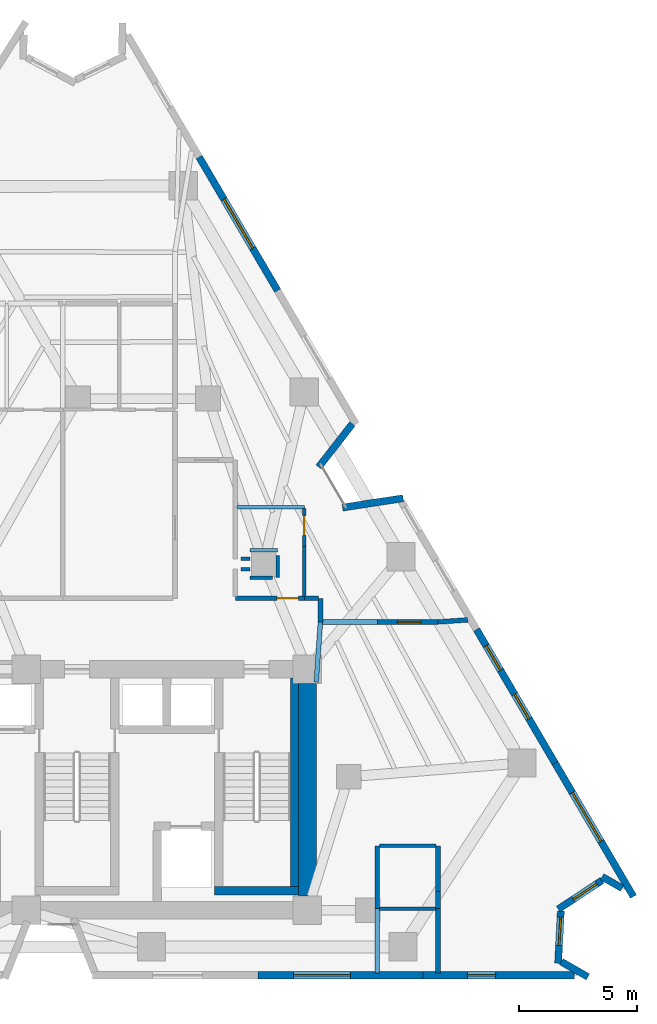
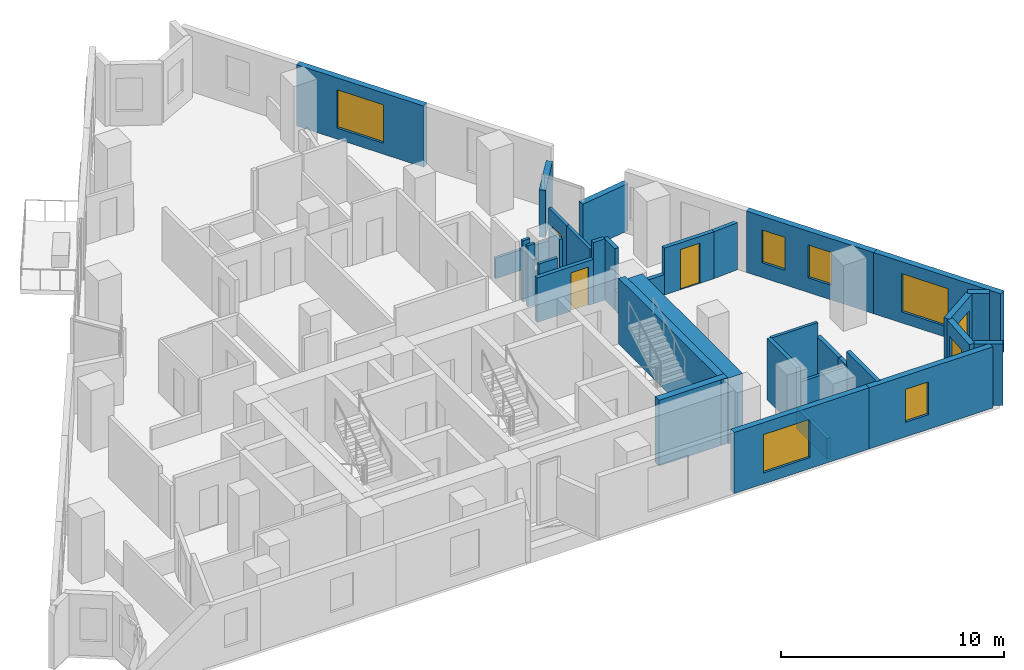
# One storey, part 8 of 11: 36 walls, 8 windows, 3 doors, 11 openings.
"""IFC4 building model written with IfcOpenShell, lengths in metres."""

from ifc_helpers import new_model, si_unit, direction, frame, frame_2d, origin, place, context, subcontext, project, spatial, rectangle, extrude, material, layer, layer_set, type_object, element, fill, save


model = new_model("IFC4")

# Units and contexts
model_context = context("Model", 3, precision=1e-05, world=origin(), true_north=direction((0.0, 1.0)))
body_context = subcontext(model_context, "Body", "Model", "MODEL_VIEW")
ifc_project = project(units=[si_unit("LENGTHUNIT", "METRE"), si_unit("AREAUNIT", "SQUARE_METRE"), si_unit("VOLUMEUNIT", "CUBIC_METRE"), si_unit("PLANEANGLEUNIT", "RADIAN"), si_unit("MASSUNIT", "GRAM", prefix="KILO")], contexts=[model_context])

# Site, building, storey
site_placement = place(None, origin())
site = spatial("IfcSite", under=ifc_project, at=site_placement, CompositionType="ELEMENT")
building_placement = place(site_placement, origin())
building = spatial("IfcBuilding", under=site, at=building_placement, Name="Almagre Mirador Tower", CompositionType="ELEMENT")
storey_placement = place(building_placement, frame((0.0, 0.0, 128.39990234375)))
storey = spatial("IfcBuildingStorey", under=building, at=storey_placement, Name="L32", CompositionType="ELEMENT", Elevation=128.39990234375)

# Wall, opening, window
ifc_material_1 = material(Name="Precast concrete C50/60", Category="concrete")
ifc_layer_1 = layer(ifc_material_1, 0.300048828125)
ifc_layer_set_1 = layer_set([ifc_layer_1], Name="Precast concrete C50/60")
wall_type_1 = type_object("IfcWallType", Name="WAL-EXT-300", PredefinedType="SOLIDWALL", material=ifc_layer_set_1)
wall_1_placement = place(storey_placement, frame((42.472412109375, 36.420166015625, 0.0), z_axis=(0.0, 0.0, 1.0), x_axis=(0.506315009763, -0.86234860172, 0.0)))
wall_1 = element("IfcWall", 1, at=wall_1_placement, inside=storey, type_object=wall_type_1, Name="L32 expressed almagre precast frame wall 10", PredefinedType="SOLIDWALL", context=body_context, shape_type="SweptSolid", body=[
    extrude(rectangle(XDim=6.553466796875, YDim=0.300048828125, at=frame_2d((3.27685546875, 0.0))), origin(), (0.0, 0.0, 1.0), 3.35009765625),
])
opening_1_placement = place(wall_1_placement, frame((2.074951171875, 0.0, 0.60009765625)))
opening_1 = element("IfcOpeningElement", 2, at=opening_1_placement, cuts=wall_1, Name="Opening WN-02", PredefinedType="OPENING", context=body_context, shape_type="SweptSolid", body=[
    extrude(rectangle(XDim=2.39990234375, YDim=2.10009765625, at=frame_2d((1.199951171875, 1.050048828125))), frame((0.0, 0.159902, 0.0), z_axis=(0.0, -1.0, 0.0), x_axis=(1.0, 0.0, 0.0)), (0.0, 0.0, 1.0), 0.320049),
])
ifc_material_2 = material(Name="Dark solar-control laminated hurricane glass", Category="glass")
window_type_1 = type_object("IfcWindowType", Name="WIN-2400X2100", PartitioningType="TRIPLE_PANEL_VERTICAL", PredefinedType="WINDOW", material=ifc_material_2)
window_1_placement = place(opening_1_placement, origin())
window_1 = element("IfcWindow", 3, at=window_1_placement, inside=storey, type_object=window_type_1, Name="L32 recessed hurricane window L32-UJ-ST", OverallHeight=2.10009765625, OverallWidth=2.39990234375, PartitioningType="SINGLE_PANEL", PredefinedType="WINDOW", context=body_context, shape_type="SweptSolid", body=[
    extrude(rectangle(XDim=2.39990234375, YDim=2.10009765625, at=frame_2d((1.199951171875, 1.050048828125))), frame((0.0, 0.030029296875, 0.0), z_axis=(0.0, -1.0, 0.0), x_axis=(1.0, 0.0, 0.0)), (0.0, 0.0, 1.0), 0.06005859375),
])
fill(opening_1, window_1)

# Walls
wall_2_placement = place(storey_placement, frame((48.955078125, 25.131591796875, 0.0), z_axis=(0.0, 0.0, 1.0), x_axis=(-0.614326980446, -0.789051557946, 0.0)))
element("IfcWall", 4, at=wall_2_placement, inside=storey, type_object=wall_type_1, Name="L32 expressed almagre precast frame wall 12", PredefinedType="SOLIDWALL", context=body_context, shape_type="SweptSolid", body=[
    extrude(rectangle(XDim=2.318115234375, YDim=0.300048828125, at=frame_2d((1.1591796875, 0.0))), origin(), (0.0, 0.0, 1.0), 2.5751953125),
])
wall_3_placement = place(storey_placement, frame((48.53662109375, 21.588623046875, 0.0), z_axis=(0.0, 0.0, 1.0), x_axis=(0.988351014823, 0.152191561848, 0.0)))
element("IfcWall", 5, at=wall_3_placement, inside=storey, type_object=wall_type_1, Name="L32 expressed almagre precast frame wall 13", PredefinedType="SOLIDWALL", context=body_context, shape_type="SweptSolid", body=[
    extrude(rectangle(XDim=2.593994140625, YDim=0.300048828125, at=frame_2d((1.296875, 0.0))), origin(), (0.0, 0.0, 1.0), 2.5751953125),
])

# Wall, openings, windows
wall_4_placement = place(storey_placement, frame((54.20947265625, 16.43115234375, 0.0), z_axis=(0.0, 0.0, 1.0), x_axis=(0.506315009763, -0.86234860172, 0.0)))
wall_4 = element("IfcWall", 6, at=wall_4_placement, inside=storey, type_object=wall_type_1, Name="L32 expressed almagre precast frame wall 15", PredefinedType="SOLIDWALL", context=body_context, shape_type="SweptSolid", body=[
    extrude(rectangle(XDim=6.553466796875, YDim=0.300048828125, at=frame_2d((3.27685546875, 0.0))), origin(), (0.0, 0.0, 1.0), 3.35009765625),
])
opening_2_placement = place(wall_4_placement, frame((3.175048828125, 0.0, 0.800048828125)))
opening_2 = element("IfcOpeningElement", 7, at=opening_2_placement, cuts=wall_4, Name="Opening WN-04", PredefinedType="OPENING", context=body_context, shape_type="SweptSolid", body=[
    extrude(rectangle(XDim=1.199951171875, YDim=1.800048828125, at=frame_2d((0.60009765625, 0.89990234375))), frame((0.0, 0.159902, 0.0), z_axis=(0.0, -1.0, 0.0), x_axis=(1.0, 0.0, 0.0)), (0.0, 0.0, 1.0), 0.320049),
])
opening_3_placement = place(wall_4_placement, frame((0.800048828125, 0.0, 0.800048828125)))
opening_3 = element("IfcOpeningElement", 8, at=opening_3_placement, cuts=wall_4, Name="Opening WN-04", PredefinedType="OPENING", context=body_context, shape_type="SweptSolid", body=[
    extrude(rectangle(XDim=1.199951171875, YDim=1.800048828125, at=frame_2d((0.60009765625, 0.89990234375))), frame((0.0, 0.159902, 0.0), z_axis=(0.0, -1.0, 0.0), x_axis=(1.0, 0.0, 0.0)), (0.0, 0.0, 1.0), 0.320049),
])
ifc_material_3 = material(Name="Dark solar-control laminated hurricane glass", Category="glass")
window_type_2 = type_object("IfcWindowType", Name="WIN-1200X1800", PartitioningType="SINGLE_PANEL", PredefinedType="WINDOW", material=ifc_material_3)
window_2_placement = place(opening_2_placement, origin())
window_2 = element("IfcWindow", 9, at=window_2_placement, inside=storey, type_object=window_type_2, Name="L32 recessed hurricane window L32-UC-LV", OverallHeight=1.800048828125, OverallWidth=1.199951171875, PartitioningType="SINGLE_PANEL", PredefinedType="WINDOW", context=body_context, shape_type="SweptSolid", body=[
    extrude(rectangle(XDim=1.199951171875, YDim=1.800048828125, at=frame_2d((0.60009765625, 0.89990234375))), frame((0.0, 0.030029296875, 0.0), z_axis=(0.0, -1.0, 0.0), x_axis=(1.0, 0.0, 0.0)), (0.0, 0.0, 1.0), 0.06005859375),
])
fill(opening_2, window_2)
window_3_placement = place(opening_3_placement, origin())
window_3 = element("IfcWindow", 10, at=window_3_placement, inside=storey, type_object=window_type_2, Name="L32 recessed hurricane window L32-UC-HB", OverallHeight=1.800048828125, OverallWidth=1.199951171875, PartitioningType="SINGLE_PANEL", PredefinedType="WINDOW", context=body_context, shape_type="SweptSolid", body=[
    extrude(rectangle(XDim=1.199951171875, YDim=1.800048828125, at=frame_2d((0.60009765625, 0.89990234375))), frame((0.0, 0.030029296875, 0.0), z_axis=(0.0, -1.0, 0.0), x_axis=(1.0, 0.0, 0.0)), (0.0, 0.0, 1.0), 0.06005859375),
])
fill(opening_3, window_3)

# Wall, opening, window
wall_5_placement = place(storey_placement, frame((57.527587890625, 10.77978515625, 0.0), z_axis=(0.0, 0.0, 1.0), x_axis=(0.506342712509, -0.862332335871, 0.0)))
wall_5 = element("IfcWall", 11, at=wall_5_placement, inside=storey, type_object=wall_type_1, Name="L32 expressed almagre precast frame wall 16", PredefinedType="SOLIDWALL", context=body_context, shape_type="SweptSolid", body=[
    extrude(rectangle(XDim=6.553466796875, YDim=0.300048828125, at=frame_2d((3.27685546875, 0.0))), origin(), (0.0, 0.0, 1.0), 3.35009765625),
])
opening_4_placement = place(wall_5_placement, frame((1.449951171875, 0.0, 0.60009765625)))
opening_4 = element("IfcOpeningElement", 12, at=opening_4_placement, cuts=wall_5, Name="Opening WN-02", PredefinedType="OPENING", context=body_context, shape_type="SweptSolid", body=[
    extrude(rectangle(XDim=2.39990234375, YDim=2.10009765625, at=frame_2d((1.199951171875, 1.050048828125))), frame((0.0, 0.159902, 0.0), z_axis=(0.0, -1.0, 0.0), x_axis=(1.0, 0.0, 0.0)), (0.0, 0.0, 1.0), 0.320049),
])
window_4_placement = place(opening_4_placement, origin())
window_4 = element("IfcWindow", 13, at=window_4_placement, inside=storey, type_object=window_type_1, Name="L32 recessed hurricane window L32-UC-MB", OverallHeight=2.10009765625, OverallWidth=2.39990234375, PartitioningType="SINGLE_PANEL", PredefinedType="WINDOW", context=body_context, shape_type="SweptSolid", body=[
    extrude(rectangle(XDim=2.39990234375, YDim=2.10009765625, at=frame_2d((1.199951171875, 1.050048828125))), frame((0.0, 0.030029296875, 0.0), z_axis=(0.0, -1.0, 0.0), x_axis=(1.0, 0.0, 0.0)), (0.0, 0.0, 1.0), 0.06005859375),
])
fill(opening_4, window_4)

# Wall
wall_6_placement = place(storey_placement, frame((60.37158203125, 5.47998046875, 0.0), z_axis=(0.0, 0.0, 1.0), x_axis=(-0.867706517509, 0.497076854694, 0.0)))
element("IfcWall", 14, at=wall_6_placement, inside=storey, type_object=wall_type_1, Name="L32 expressed almagre precast frame wall 17", PredefinedType="SOLIDWALL", context=body_context, shape_type="SweptSolid", body=[
    extrude(rectangle(XDim=0.980712890625, YDim=0.300048828125, at=frame_2d((0.490234375, 0.0))), origin(), (0.0, 0.0, 1.0), 3.35009765625),
])

# Wall, opening, window
wall_7_placement = place(storey_placement, frame((59.52099609375, 5.818115234375, 0.0), z_axis=(0.0, 0.0, 1.0), x_axis=(-0.834712479674, -0.550686005158, 0.0)))
wall_7 = element("IfcWall", 15, at=wall_7_placement, inside=storey, type_object=wall_type_1, Name="L32 expressed almagre precast frame wall 18", PredefinedType="SOLIDWALL", context=body_context, shape_type="SweptSolid", body=[
    extrude(rectangle(XDim=2.22119140625, YDim=0.300048828125, at=frame_2d((1.110595703125, 0.0))), origin(), (0.0, 0.0, 1.0), 3.35009765625),
])
opening_5_placement = place(wall_7_placement, frame((0.264892578125, 0.0, 0.800048828125)))
opening_5 = element("IfcOpeningElement", 16, at=opening_5_placement, cuts=wall_7, Name="Opening WN-04", PredefinedType="OPENING", context=body_context, shape_type="SweptSolid", body=[
    extrude(rectangle(XDim=1.199951171875, YDim=1.800048828125, at=frame_2d((0.60009765625, 0.89990234375))), frame((0.0, 0.159902, 0.0), z_axis=(0.0, -1.0, 0.0), x_axis=(1.0, 0.0, 0.0)), (0.0, 0.0, 1.0), 0.320049),
])
window_5_placement = place(opening_5_placement, origin())
window_5 = element("IfcWindow", 17, at=window_5_placement, inside=storey, type_object=window_type_2, Name="L32 recessed hurricane window L32-UC-MB", OverallHeight=1.800048828125, OverallWidth=1.199951171875, PartitioningType="SINGLE_PANEL", PredefinedType="WINDOW", context=body_context, shape_type="SweptSolid", body=[
    extrude(rectangle(XDim=1.199951171875, YDim=1.800048828125, at=frame_2d((0.60009765625, 0.89990234375))), frame((0.0, 0.030029296875, 0.0), z_axis=(0.0, -1.0, 0.0), x_axis=(1.0, 0.0, 0.0)), (0.0, 0.0, 1.0), 0.06005859375),
])
fill(opening_5, window_5)

wall_8_placement = place(storey_placement, frame((57.77587890625, 4.51708984375, 0.0), z_axis=(0.0, 0.0, 1.0), x_axis=(-0.052535661709, -0.998619048611, 0.0)))
wall_8 = element("IfcWall", 18, at=wall_8_placement, inside=storey, type_object=wall_type_1, Name="L32 expressed almagre precast frame wall 19", PredefinedType="SOLIDWALL", context=body_context, shape_type="SweptSolid", body=[
    extrude(rectangle(XDim=2.212158203125, YDim=0.300048828125, at=frame_2d((1.10595703125, 0.0))), origin(), (0.0, 0.0, 1.0), 3.35009765625),
])
opening_6_placement = place(wall_8_placement, frame((0.2548828125, 0.0, 0.800048828125)))
opening_6 = element("IfcOpeningElement", 19, at=opening_6_placement, cuts=wall_8, Name="Opening WN-04", PredefinedType="OPENING", context=body_context, shape_type="SweptSolid", body=[
    extrude(rectangle(XDim=1.199951171875, YDim=1.800048828125, at=frame_2d((0.60009765625, 0.89990234375))), frame((0.0, 0.159902, 0.0), z_axis=(0.0, -1.0, 0.0), x_axis=(1.0, 0.0, 0.0)), (0.0, 0.0, 1.0), 0.320049),
])
window_6_placement = place(opening_6_placement, origin())
window_6 = element("IfcWindow", 20, at=window_6_placement, inside=storey, type_object=window_type_2, Name="L32 recessed hurricane window L32-UC-MB", OverallHeight=1.800048828125, OverallWidth=1.199951171875, PartitioningType="SINGLE_PANEL", PredefinedType="WINDOW", context=body_context, shape_type="SweptSolid", body=[
    extrude(rectangle(XDim=1.199951171875, YDim=1.800048828125, at=frame_2d((0.60009765625, 0.89990234375))), frame((0.0, 0.030029296875, 0.0), z_axis=(0.0, -1.0, 0.0), x_axis=(1.0, 0.0, 0.0)), (0.0, 0.0, 1.0), 0.06005859375),
])
fill(opening_6, window_6)

# Wall
wall_9_placement = place(storey_placement, frame((57.797119140625, 2.37353515625, 0.0), z_axis=(0.0, 0.0, 1.0), x_axis=(0.868034267217, -0.496504290955, 0.0)))
element("IfcWall", 21, at=wall_9_placement, inside=storey, type_object=wall_type_1, Name="L32 expressed almagre precast frame wall 20", PredefinedType="SOLIDWALL", context=body_context, shape_type="SweptSolid", body=[
    extrude(rectangle(XDim=1.295166015625, YDim=0.300048828125, at=frame_2d((0.6474609375, 0.0))), origin(), (0.0, 0.0, 1.0), 3.35009765625),
])

# Wall, opening, window
wall_10_placement = place(storey_placement, frame((58.35009765625, 1.800048828125, 0.0), z_axis=(0.0, 0.0, 1.0), x_axis=(-1.0, 0.0, 0.0)))
wall_10 = element("IfcWall", 22, at=wall_10_placement, inside=storey, type_object=wall_type_1, Name="L32 expressed almagre precast frame wall 21", PredefinedType="SOLIDWALL", context=body_context, shape_type="SweptSolid", body=[
    extrude(rectangle(XDim=6.4033203125, YDim=0.300048828125, at=frame_2d((3.20166015625, 0.0))), origin(), (0.0, 0.0, 1.0), 3.35009765625),
])
opening_7_placement = place(wall_10_placement, frame((3.3349609375, 0.0, 0.800048828125)))
opening_7 = element("IfcOpeningElement", 23, at=opening_7_placement, cuts=wall_10, Name="Opening WN-04", PredefinedType="OPENING", context=body_context, shape_type="SweptSolid", body=[
    extrude(rectangle(XDim=1.199951171875, YDim=1.800048828125, at=frame_2d((0.60009765625, 0.89990234375))), frame((0.0, 0.159902, 0.0), z_axis=(0.0, -1.0, 0.0), x_axis=(1.0, 0.0, 0.0)), (0.0, 0.0, 1.0), 0.320049),
])
window_7_placement = place(opening_7_placement, origin())
window_7 = element("IfcWindow", 24, at=window_7_placement, inside=storey, type_object=window_type_2, Name="L32 recessed hurricane window L32-UC-KT", OverallHeight=1.800048828125, OverallWidth=1.199951171875, PartitioningType="SINGLE_PANEL", PredefinedType="WINDOW", context=body_context, shape_type="SweptSolid", body=[
    extrude(rectangle(XDim=1.199951171875, YDim=1.800048828125, at=frame_2d((0.60009765625, 0.89990234375))), frame((0.0, 0.030029296875, 0.0), z_axis=(0.0, -1.0, 0.0), x_axis=(1.0, 0.0, 0.0)), (0.0, 0.0, 1.0), 0.06005859375),
])
fill(opening_7, window_7)

wall_11_placement = place(storey_placement, frame((51.94677734375, 1.800048828125, 0.0), z_axis=(0.0, 0.0, 1.0), x_axis=(-1.0, 0.0, 0.0)))
wall_11 = element("IfcWall", 25, at=wall_11_placement, inside=storey, type_object=wall_type_1, Name="L32 expressed almagre precast frame wall 22", PredefinedType="SOLIDWALL", context=body_context, shape_type="SweptSolid", body=[
    extrude(rectangle(XDim=6.993408203125, YDim=0.300048828125, at=frame_2d((3.49658203125, 0.0))), origin(), (0.0, 0.0, 1.0), 3.35009765625),
])
opening_8_placement = place(wall_11_placement, frame((3.074951171875, 0.0, 0.60009765625)))
opening_8 = element("IfcOpeningElement", 26, at=opening_8_placement, cuts=wall_11, Name="Opening WN-02", PredefinedType="OPENING", context=body_context, shape_type="SweptSolid", body=[
    extrude(rectangle(XDim=2.39990234375, YDim=2.10009765625, at=frame_2d((1.199951171875, 1.050048828125))), frame((0.0, 0.159902, 0.0), z_axis=(0.0, -1.0, 0.0), x_axis=(1.0, 0.0, 0.0)), (0.0, 0.0, 1.0), 0.320049),
])
window_8_placement = place(opening_8_placement, origin())
window_8 = element("IfcWindow", 27, at=window_8_placement, inside=storey, type_object=window_type_1, Name="L32 recessed hurricane window L32-RST-B", OverallHeight=2.10009765625, OverallWidth=2.39990234375, PartitioningType="SINGLE_PANEL", PredefinedType="WINDOW", context=body_context, shape_type="SweptSolid", body=[
    extrude(rectangle(XDim=2.39990234375, YDim=2.10009765625, at=frame_2d((1.199951171875, 1.050048828125))), frame((0.0, 0.030029296875, 0.0), z_axis=(0.0, -1.0, 0.0), x_axis=(1.0, 0.0, 0.0)), (0.0, 0.0, 1.0), 0.06005859375),
])
fill(opening_8, window_8)

# Walls
ifc_material_4 = material(Name="Gypsum acoustic stud partition", Category="other")
ifc_layer_2 = layer(ifc_material_4, 0.14990234375)
ifc_layer_set_2 = layer_set([ifc_layer_2], Name="Gypsum acoustic stud partition")
wall_type_2 = type_object("IfcWallType", Name="WAL-PRT-150-STD", PredefinedType="PARTITIONING", material=ifc_layer_set_2)
wall_12_placement = place(storey_placement, frame((50.094970703125, 7.280029296875, 0.0), z_axis=(0.0, 0.0, 1.0), x_axis=(1.0, 0.0, 0.0)))
element("IfcWall", 28, at=wall_12_placement, inside=storey, type_object=wall_type_2, Name="L32 interior partition 047", PredefinedType="PARTITIONING", context=body_context, shape_type="SweptSolid", body=[
    extrude(rectangle(XDim=2.400146484375, YDim=0.14990234375, at=frame_2d((1.2001953125, 0.0))), origin(), (0.0, 0.0, 1.0), 3.35009765625),
])
wall_13_placement = place(storey_placement, frame((52.4951171875, 4.6201171875, 0.0), z_axis=(0.0, 0.0, 1.0), x_axis=(-1.0, 0.0, 0.0)))
element("IfcWall", 29, at=wall_13_placement, inside=storey, type_object=wall_type_2, Name="L32 interior partition 049", PredefinedType="PARTITIONING", context=body_context, shape_type="SweptSolid", body=[
    extrude(rectangle(XDim=2.400146484375, YDim=0.14990234375, at=frame_2d((1.2001953125, 0.0))), origin(), (0.0, 0.0, 1.0), 2.570068359375),
])
wall_14_placement = place(storey_placement, frame((44.0849609375, 21.610107421875, 0.0), z_axis=(0.0, 0.0, 1.0), x_axis=(1.0, 0.0, 0.0)))
element("IfcWall", 30, at=wall_14_placement, inside=storey, type_object=wall_type_2, Name="L32 interior partition 073", PredefinedType="PARTITIONING", context=body_context, shape_type="SweptSolid", body=[
    extrude(rectangle(XDim=2.8349609375, YDim=0.14990234375, at=frame_2d((1.41748046875, 0.0))), origin(), (0.0, 0.0, 1.0), 1.1201171875),
])

# Wall, opening, door
wall_15_placement = place(storey_placement, frame((46.919921875, 21.550048828125, 0.0), z_axis=(0.0, 0.0, 1.0), x_axis=(0.0, -1.0, 0.0)))
wall_15 = element("IfcWall", 31, at=wall_15_placement, inside=storey, type_object=wall_type_2, Name="L32 interior partition 074", PredefinedType="PARTITIONING", context=body_context, shape_type="SweptSolid", body=[
    extrude(rectangle(XDim=1.60009765625, YDim=0.14990234375, at=frame_2d((0.800048828125, 0.0))), origin(), (0.0, 0.0, 1.0), 2.9111328125),
])
opening_9_placement = place(wall_15_placement, frame((0.2919921875, 0.0, 0.0)))
opening_9 = element("IfcOpeningElement", 32, at=opening_9_placement, cuts=wall_15, Name="Opening UD-04", PredefinedType="OPENING", context=body_context, shape_type="SweptSolid", body=[
    extrude(rectangle(XDim=0.85009765625, YDim=2.10009765625, at=frame_2d((0.425048828125, 1.050048828125))), frame((0.0, 0.084951, 0.0), z_axis=(0.0, -1.0, 0.0), x_axis=(1.0, 0.0, 0.0)), (0.0, 0.0, 1.0), 0.169902),
])
ifc_material_5 = material(Name="Moisture-resistant oak timber", Category="wood")
door_type_1 = type_object("IfcDoorType", Name="DOR-UNR-850X2100", OperationType="NOTDEFINED", PredefinedType="DOOR", material=ifc_material_5)
door_1_placement = place(opening_9_placement, origin())
door_1 = element("IfcDoor", 33, at=door_1_placement, inside=storey, type_object=door_type_1, Name="DR-1053 L32 interior door L32-UJ-ST to L32-UJ-BT", OperationType="SINGLE_SWING_LEFT", OverallHeight=2.10009765625, OverallWidth=0.85009765625, PredefinedType="DOOR", context=body_context, shape_type="SweptSolid", body=[
    extrude(rectangle(XDim=0.85009765625, YDim=2.10009765625, at=frame_2d((0.425048828125, 1.050048828125))), frame((0.0, 0.02490234375, 0.0), z_axis=(0.0, -1.0, 0.0), x_axis=(1.0, 0.0, 0.0)), (0.0, 0.0, 1.0), 0.050048828125),
])
fill(opening_9, door_1)

# Walls
wall_16_placement = place(storey_placement, frame((46.919921875, 19.949951171875, 0.0), z_axis=(0.0, 0.0, 1.0), x_axis=(0.0, -1.0, 0.0)))
element("IfcWall", 34, at=wall_16_placement, inside=storey, type_object=wall_type_2, Name="L32 interior partition 088", PredefinedType="PARTITIONING", context=body_context, shape_type="SweptSolid", body=[
    extrude(rectangle(XDim=2.114990234375, YDim=0.14990234375, at=frame_2d((1.0576171875, 0.0))), origin(), (0.0, 0.0, 1.0), 2.9111328125),
])
wall_17_placement = place(storey_placement, frame((44.239990234375, 19.419921875, 0.0), z_axis=(0.0, 0.0, 1.0), x_axis=(1.0, 0.0, 0.0)))
element("IfcWall", 35, at=wall_17_placement, inside=storey, type_object=wall_type_2, Name="L32 interior partition 089", PredefinedType="PARTITIONING", context=body_context, shape_type="SweptSolid", body=[
    extrude(rectangle(XDim=0.380126953125, YDim=0.14990234375, at=frame_2d((0.18994140625, 0.0))), origin(), (0.0, 0.0, 1.0), 3.35009765625),
])
wall_18_placement = place(storey_placement, frame((44.6201171875, 19.780029296875, 0.0), z_axis=(0.0, 0.0, 1.0), x_axis=(1.0, 0.0, 0.0)))
element("IfcWall", 36, at=wall_18_placement, inside=storey, type_object=wall_type_2, Name="L32 interior partition 090", PredefinedType="PARTITIONING", context=body_context, shape_type="SweptSolid", body=[
    extrude(rectangle(XDim=1.169921875, YDim=0.14990234375, at=frame_2d((0.5849609375, 0.0))), origin(), (0.0, 0.0, 1.0), 1.1201171875),
])
wall_19_placement = place(storey_placement, frame((45.7900390625, 19.56494140625, 0.0), z_axis=(0.0, 0.0, 1.0), x_axis=(0.0, -1.0, 0.0)))
element("IfcWall", 37, at=wall_19_placement, inside=storey, type_object=wall_type_2, Name="L32 interior partition 091", PredefinedType="PARTITIONING", context=body_context, shape_type="SweptSolid", body=[
    extrude(rectangle(XDim=0.94482421875, YDim=0.14990234375, at=frame_2d((0.472412109375, 0.0))), origin(), (0.0, 0.0, 1.0), 3.35009765625),
])
wall_20_placement = place(storey_placement, frame((45.574951171875, 18.6201171875, 0.0), z_axis=(0.0, 0.0, 1.0), x_axis=(-1.0, 0.0, 0.0)))
element("IfcWall", 38, at=wall_20_placement, inside=storey, type_object=wall_type_2, Name="L32 interior partition 092", PredefinedType="PARTITIONING", context=body_context, shape_type="SweptSolid", body=[
    extrude(rectangle(XDim=0.954833984375, YDim=0.14990234375, at=frame_2d((0.4775390625, 0.0))), origin(), (0.0, 0.0, 1.0), 2.43603515625),
])
wall_21_placement = place(storey_placement, frame((44.6201171875, 18.97998046875, 0.0), z_axis=(0.0, 0.0, 1.0), x_axis=(-1.0, 0.0, 0.0)))
element("IfcWall", 39, at=wall_21_placement, inside=storey, type_object=wall_type_2, Name="L32 interior partition 093", PredefinedType="PARTITIONING", context=body_context, shape_type="SweptSolid", body=[
    extrude(rectangle(XDim=0.380126953125, YDim=0.14990234375, at=frame_2d((0.18994140625, 0.0))), origin(), (0.0, 0.0, 1.0), 3.35009765625),
])
ifc_material_6 = material(Name="Gypsum acoustic stud partition", Category="other")
ifc_layer_3 = layer(ifc_material_6, 0.199951171875)
ifc_layer_set_3 = layer_set([ifc_layer_3], Name="Gypsum acoustic stud partition")
wall_type_3 = type_object("IfcWallType", Name="WAL-PRT-200-EI60", PredefinedType="PARTITIONING", material=ifc_layer_set_3)
wall_22_placement = place(storey_placement, frame((47.425048828125, 14.199951171875, 0.0), z_axis=(0.0, 0.0, 1.0), x_axis=(0.068484119878, 0.997652206595, 0.0)))
element("IfcWall", 40, at=wall_22_placement, inside=storey, type_object=wall_type_3, Name="L32 interior partition 003", PredefinedType="PARTITIONING", context=body_context, shape_type="SweptSolid", body=[
    extrude(rectangle(XDim=2.55615234375, YDim=0.199951171875, at=frame_2d((1.278076171875, 0.0))), origin(), (0.0, 0.0, 1.0), 1.1201171875),
])
wall_23_placement = place(storey_placement, frame((47.60009765625, 16.75, 0.0), z_axis=(0.0, 0.0, 1.0), x_axis=(0.0, 1.0, 0.0)))
element("IfcWall", 41, at=wall_23_placement, inside=storey, type_object=wall_type_3, Name="L32 interior partition 017", PredefinedType="PARTITIONING", context=body_context, shape_type="SweptSolid", body=[
    extrude(rectangle(XDim=1.0, YDim=0.199951171875, at=frame_2d((0.5, 0.0))), origin(), (0.0, 0.0, 1.0), 3.35009765625),
])
wall_24_placement = place(storey_placement, frame((47.514892578125, 17.75, 0.0), z_axis=(0.0, 0.0, 1.0), x_axis=(-1.0, 0.0, 0.0)))
element("IfcWall", 42, at=wall_24_placement, inside=storey, type_object=wall_type_3, Name="L32 interior partition 018", PredefinedType="PARTITIONING", context=body_context, shape_type="SweptSolid", body=[
    extrude(rectangle(XDim=0.594970703125, YDim=0.199951171875, at=frame_2d((0.29736328125, 0.0))), origin(), (0.0, 0.0, 1.0), 3.35009765625),
])

# Wall, opening, door
wall_25_placement = place(storey_placement, frame((46.919921875, 17.75, 0.0), z_axis=(0.0, 0.0, 1.0), x_axis=(-1.0, 0.0, 0.0)))
wall_25 = element("IfcWall", 43, at=wall_25_placement, inside=storey, type_object=wall_type_3, Name="L32 interior partition 019", PredefinedType="PARTITIONING", context=body_context, shape_type="SweptSolid", body=[
    extrude(rectangle(XDim=2.919921875, YDim=0.199951171875, at=frame_2d((1.4599609375, 0.0))), origin(), (0.0, 0.0, 1.0), 2.43603515625),
])
opening_10_placement = place(wall_25_placement, frame((0.256103515625, 0.0, 0.0)))
opening_10 = element("IfcOpeningElement", 44, at=opening_10_placement, cuts=wall_25, Name="Opening ID-03", PredefinedType="OPENING", context=body_context, shape_type="SweptSolid", body=[
    extrude(rectangle(XDim=0.89990234375, YDim=2.10009765625, at=frame_2d((0.449951171875, 1.050048828125))), frame((0.0, 0.110098, 0.0), z_axis=(0.0, -1.0, 0.0), x_axis=(1.0, 0.0, 0.0)), (0.0, 0.0, 1.0), 0.219951),
])
ifc_material_7 = material(Name="Fire-rated hollow steel", Category="steel")
door_type_2 = type_object("IfcDoorType", Name="DOR-FD60-900X2100", OperationType="NOTDEFINED", PredefinedType="DOOR", material=ifc_material_7)
door_2_placement = place(opening_10_placement, origin())
door_2 = element("IfcDoor", 45, at=door_2_placement, inside=storey, type_object=door_type_2, Name="DR-1057 L32 interior door L32-RCOR to L32-UJ-BT", OperationType="SINGLE_SWING_RIGHT", OverallHeight=2.10009765625, OverallWidth=0.89990234375, PredefinedType="DOOR", context=body_context, shape_type="SweptSolid", body=[
    extrude(rectangle(XDim=0.89990234375, YDim=2.10009765625, at=frame_2d((0.449951171875, 1.050048828125))), frame((0.0, 0.02490234375, 0.0), z_axis=(0.0, -1.0, 0.0), x_axis=(1.0, 0.0, 0.0)), (0.0, 0.0, 1.0), 0.050048828125),
])
fill(opening_10, door_2)

# Walls
wall_26_placement = place(storey_placement, frame((50.010009765625, 1.89990234375, 0.0), z_axis=(0.0, 0.0, 1.0), x_axis=(0.0, 1.0, 0.0)))
element("IfcWall", 46, at=wall_26_placement, inside=storey, type_object=wall_type_3, Name="L32 interior partition 030", PredefinedType="PARTITIONING", context=body_context, shape_type="SweptSolid", body=[
    extrude(rectangle(XDim=2.72021484375, YDim=0.199951171875, at=frame_2d((1.360107421875, 0.0))), origin(), (0.0, 0.0, 1.0), 1.1201171875),
])
wall_27_placement = place(storey_placement, frame((50.010009765625, 4.6201171875, 0.0), z_axis=(0.0, 0.0, 1.0), x_axis=(0.0, 1.0, 0.0)))
element("IfcWall", 47, at=wall_27_placement, inside=storey, type_object=wall_type_3, Name="L32 interior partition 031", PredefinedType="PARTITIONING", context=body_context, shape_type="SweptSolid", body=[
    extrude(rectangle(XDim=2.659912109375, YDim=0.199951171875, at=frame_2d((1.330078125, 0.0))), origin(), (0.0, 0.0, 1.0), 3.35009765625),
])
wall_28_placement = place(storey_placement, frame((50.010009765625, 16.75, 0.0), z_axis=(0.0, 0.0, 1.0), x_axis=(-1.0, 0.0, 0.0)))
element("IfcWall", 48, at=wall_28_placement, inside=storey, type_object=wall_type_3, Name="L32 interior partition 032", PredefinedType="PARTITIONING", context=body_context, shape_type="SweptSolid", body=[
    extrude(rectangle(XDim=2.324951171875, YDim=0.199951171875, at=frame_2d((1.16259765625, 0.0))), origin(), (0.0, 0.0, 1.0), 1.1201171875),
])
wall_29_placement = place(storey_placement, frame((52.580078125, 7.280029296875, 0.0), z_axis=(0.0, 0.0, 1.0), x_axis=(0.0, -1.0, 0.0)))
element("IfcWall", 49, at=wall_29_placement, inside=storey, type_object=wall_type_3, Name="L32 interior partition 037", PredefinedType="PARTITIONING", context=body_context, shape_type="SweptSolid", body=[
    extrude(rectangle(XDim=1.929931640625, YDim=0.199951171875, at=frame_2d((0.96484375, 0.0))), origin(), (0.0, 0.0, 1.0), 2.570068359375),
])
wall_30_placement = place(storey_placement, frame((53.8349609375, 16.8359375, 0.0), z_axis=(0.0, 0.0, 1.0), x_axis=(-0.997663290175, -0.068322466565, 0.0)))
element("IfcWall", 50, at=wall_30_placement, inside=storey, type_object=wall_type_3, Name="L32 interior partition 039", PredefinedType="PARTITIONING", context=body_context, shape_type="SweptSolid", body=[
    extrude(rectangle(XDim=1.2578125, YDim=0.199951171875, at=frame_2d((0.62890625, 0.0))), origin(), (0.0, 0.0, 1.0), 2.570068359375),
])
wall_31_placement = place(storey_placement, frame((52.580078125, 4.6201171875, 0.0), z_axis=(0.0, 0.0, 1.0), x_axis=(0.0, -1.0, 0.0)))
element("IfcWall", 51, at=wall_31_placement, inside=storey, type_object=wall_type_3, Name="L32 interior partition 041", PredefinedType="PARTITIONING", context=body_context, shape_type="SweptSolid", body=[
    extrude(rectangle(XDim=2.72021484375, YDim=0.199951171875, at=frame_2d((1.360107421875, 0.0))), origin(), (0.0, 0.0, 1.0), 3.35009765625),
])
wall_32_placement = place(storey_placement, frame((52.580078125, 5.35009765625, 0.0), z_axis=(0.0, 0.0, 1.0), x_axis=(0.0, -1.0, 0.0)))
element("IfcWall", 52, at=wall_32_placement, inside=storey, type_object=wall_type_3, Name="L32 interior partition 042", PredefinedType="PARTITIONING", context=body_context, shape_type="SweptSolid", body=[
    extrude(rectangle(XDim=0.72998046875, YDim=0.199951171875, at=frame_2d((0.364990234375, 0.0))), origin(), (0.0, 0.0, 1.0), 2.570068359375),
])

# Wall, opening, door
wall_33_placement = place(storey_placement, frame((52.580078125, 16.75, 0.0), z_axis=(0.0, 0.0, 1.0), x_axis=(-1.0, 0.0, 0.0)))
wall_33 = element("IfcWall", 53, at=wall_33_placement, inside=storey, type_object=wall_type_3, Name="L32 interior partition 048", PredefinedType="PARTITIONING", context=body_context, shape_type="SweptSolid", body=[
    extrude(rectangle(XDim=2.570068359375, YDim=0.199951171875, at=frame_2d((1.28515625, 0.0))), origin(), (0.0, 0.0, 1.0), 2.570068359375),
])
opening_11_placement = place(wall_33_placement, frame((0.726318359375, 0.0, 0.0)))
opening_11 = element("IfcOpeningElement", 54, at=opening_11_placement, cuts=wall_33, Name="Opening ID-01", PredefinedType="OPENING", context=body_context, shape_type="SweptSolid", body=[
    extrude(rectangle(XDim=1.0, YDim=2.199951171875, at=frame_2d((0.5, 1.10009765625))), frame((0.0, 0.110098, 0.0), z_axis=(0.0, -1.0, 0.0), x_axis=(1.0, 0.0, 0.0)), (0.0, 0.0, 1.0), 0.219951),
])
ifc_material_8 = material(Name="Fire-rated walnut timber", Category="wood")
door_type_3 = type_object("IfcDoorType", Name="DOR-FD60-1000X2200", OperationType="NOTDEFINED", PredefinedType="DOOR", material=ifc_material_8)
door_3_placement = place(opening_11_placement, origin())
door_3 = element("IfcDoor", 55, at=door_3_placement, inside=storey, type_object=door_type_3, Name="DR-1054 L32 interior door L32-UE-ST to L32-UJ-KT", OperationType="SINGLE_SWING_LEFT", OverallHeight=2.199951171875, OverallWidth=1.0, PredefinedType="DOOR", context=body_context, shape_type="SweptSolid", body=[
    extrude(rectangle(XDim=1.0, YDim=2.199951171875, at=frame_2d((0.5, 1.10009765625))), frame((0.0, 0.02490234375, 0.0), z_axis=(0.0, -1.0, 0.0), x_axis=(1.0, 0.0, 0.0)), (0.0, 0.0, 1.0), 0.050048828125),
])
fill(opening_11, door_3)

# Walls
ifc_material_9 = material(Name="Concrete C60/75", Category="concrete")
ifc_layer_4 = layer(ifc_material_9, 0.35009765625)
ifc_layer_set_4 = layer_set([ifc_layer_4], Name="Concrete C60/75")
wall_type_4 = type_object("IfcWallType", Name="WAL-SHF-350", PredefinedType="SOLIDWALL", material=ifc_layer_set_4)
wall_34_placement = place(storey_placement, frame((46.5, 5.199951171875, 0.0), z_axis=(0.0, 0.0, 1.0), x_axis=(0.0, 1.0, 0.0)))
element("IfcWall", 56, at=wall_34_placement, inside=storey, type_object=wall_type_4, Name="L32 shaft wall ST3-E", PredefinedType="SOLIDWALL", context=body_context, shape_type="SweptSolid", body=[
    extrude(rectangle(XDim=9.175048828125, YDim=0.35009765625, at=frame_2d((4.58740234375, 0.0))), origin(), (0.0, 0.0, 1.0), 3.60009765625),
])
wall_35_placement = place(storey_placement, frame((43.125, 5.375, 0.0), z_axis=(0.0, 0.0, 1.0), x_axis=(1.0, 0.0, 0.0)))
element("IfcWall", 57, at=wall_35_placement, inside=storey, type_object=wall_type_4, Name="L32 shaft wall ST3-S", PredefinedType="SOLIDWALL", context=body_context, shape_type="SweptSolid", body=[
    extrude(rectangle(XDim=3.550048828125, YDim=0.35009765625, at=frame_2d((1.77490234375, 0.0))), origin(), (0.0, 0.0, 1.0), 3.60009765625),
])
ifc_material_10 = material(Name="Concrete C60/75", Category="concrete")
ifc_layer_5 = layer(ifc_material_10, 0.75)
ifc_layer_set_5 = layer_set([ifc_layer_5], Name="Concrete C60/75")
wall_type_5 = type_object("IfcWallType", Name="WAL-SHR-750", PredefinedType="SHEAR", material=ifc_layer_set_5)
wall_36_placement = place(storey_placement, frame((47.050048828125, 5.14990234375, 0.0), z_axis=(0.0, 0.0, 1.0), x_axis=(0.0, 1.0, 0.0)))
element("IfcWall", 58, at=wall_36_placement, inside=storey, type_object=wall_type_5, Name="L32 core shear wall E1", PredefinedType="SHEAR", context=body_context, shape_type="SweptSolid", body=[
    extrude(rectangle(XDim=9.0, YDim=0.75, at=frame_2d((4.5, 0.0))), origin(), (0.0, 0.0, 1.0), 3.60009765625),
])

save(model, "model.ifc")
